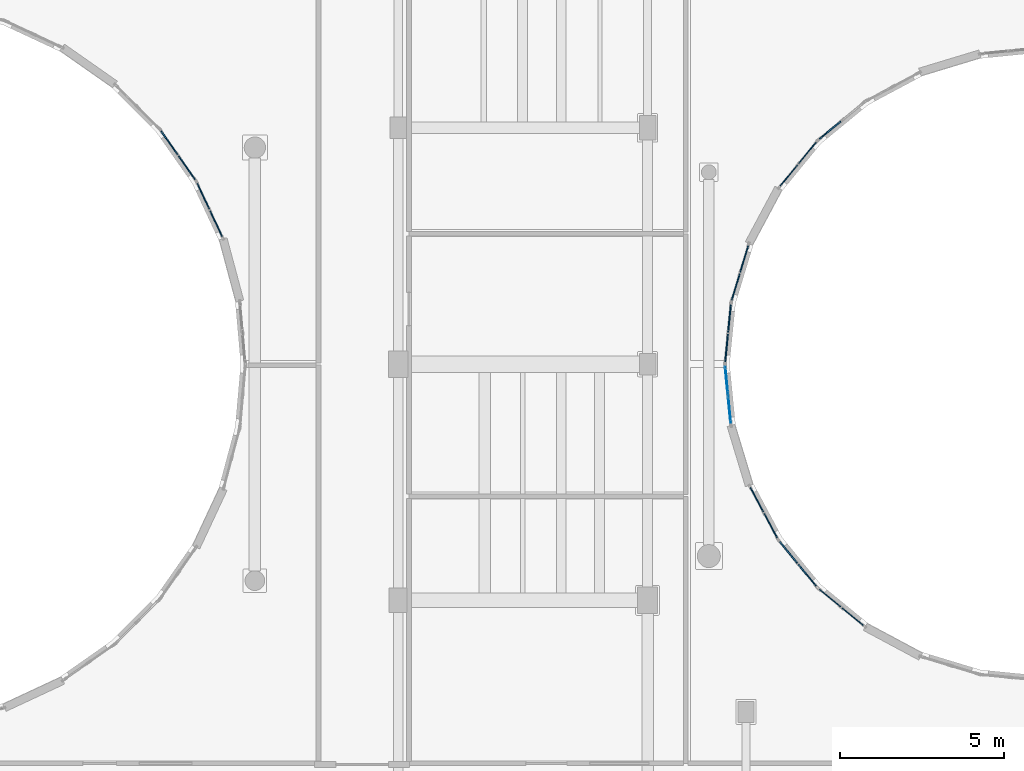
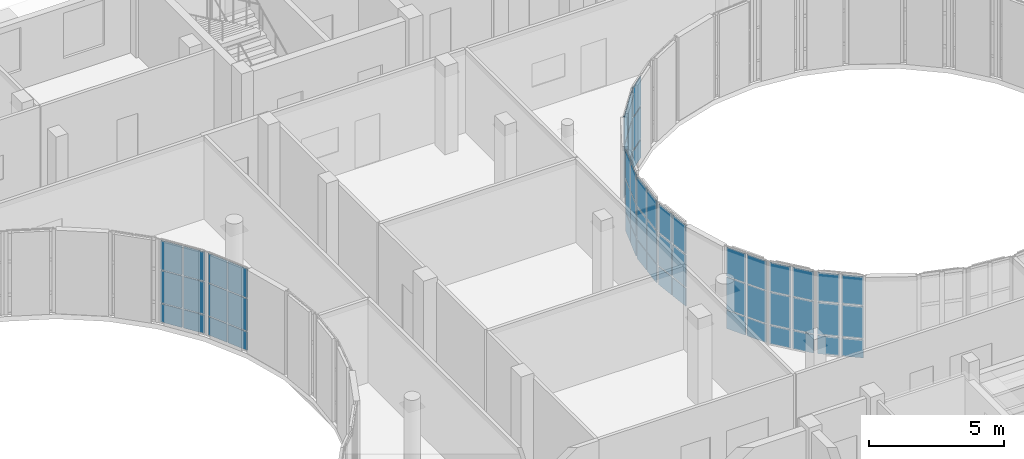
# One storey, part 67 of 105: 57 plates, 10 elements without a shape of their own.
"""IFC4 building model written with IfcOpenShell, lengths in metres."""

from ifc_helpers import new_model, si_unit, direction, frame, origin, origin_2d, place, context, subcontext, project, spatial, rectangle, extrude, material, layer, layer_set, type_object, element, aggregate, save


model = new_model("IFC4")

# Units and contexts
model_context = context("Model", 3, precision=1e-05, world=origin(), true_north=direction((0.0, 1.0)))
body_context = subcontext(model_context, "Body", "Model", "MODEL_VIEW")
ifc_project = project(units=[si_unit("LENGTHUNIT", "METRE"), si_unit("AREAUNIT", "SQUARE_METRE"), si_unit("VOLUMEUNIT", "CUBIC_METRE"), si_unit("PLANEANGLEUNIT", "RADIAN"), si_unit("MASSUNIT", "GRAM", prefix="KILO")], contexts=[model_context])

# Site, building, storey
site_placement = place(None, origin())
site = spatial("IfcSite", under=ifc_project, at=site_placement, CompositionType="ELEMENT")
building_placement = place(site_placement, origin())
building = spatial("IfcBuilding", under=site, at=building_placement, Name="Kelanivale Promenade Academy", CompositionType="ELEMENT")
storey_placement = place(building_placement, frame((0.0, 0.0, 4.199951171875)))
storey = spatial("IfcBuildingStorey", under=building, at=storey_placement, Name="L01", CompositionType="ELEMENT", Elevation=4.199951171875)

# Curtain wall, plates
ifc_material_1 = material(Name="Bronze anodised aluminium and solar-control low-E glass", Category="aluminium")
ifc_layer_1 = layer(ifc_material_1, 0.169921875)
ifc_layer_set_1 = layer_set([ifc_layer_1], Name="Bronze anodised aluminium and solar-control low-E glass")
curtain_wall_type_1 = type_object("IfcCurtainWallType", Name="CW-13 Curtain Wall 1350mm Module", PredefinedType="USERDEFINED", material=ifc_layer_set_1)
curtain_wall_1_placement = place(storey_placement, origin())
curtain_wall_1 = element("IfcCurtainWall", 1, at=curtain_wall_1_placement, inside=storey, type_object=curtain_wall_type_1, Name="L01 courtyard curtain wall CW-13", ObjectType="COURTYARD SCREEN GLAZING", PredefinedType="USERDEFINED")
ifc_material_2 = material(Name="Solar-control double glazing 28 mm", Category="glass")
ifc_layer_2 = layer(ifc_material_2, 0.028076171875)
ifc_layer_set_2 = layer_set([ifc_layer_2], Name="Solar-control double glazing 28 mm")
plate_type_1 = type_object("IfcPlateType", Name="CWP-01 Plate 28mm", PredefinedType="CURTAIN_PANEL", material=ifc_layer_set_2)
plate_1_placement = place(storey_placement, frame((91.671630859375, 63.23828125, 0.05029296875), z_axis=(0.0, 0.0, 1.0), x_axis=(-0.634092539482, -0.773257170269, 0.0)))
plate_1 = element("IfcPlate", 2, at=plate_1_placement, type_object=plate_type_1, Name="CW-13 panel 1.1", PredefinedType="CURTAIN_PANEL", context=body_context, shape_type="SweptSolid", body=[
    extrude(rectangle(XDim=0.833251953125, YDim=0.028076171875, at=origin_2d()), origin(), (0.0, 0.0, 1.0), 0.824951171875),
])
plate_2_placement = place(storey_placement, frame((91.671630859375, 63.23828125, 0.92529296875), z_axis=(0.0, 0.0, 1.0), x_axis=(-0.634092539482, -0.773257170269, 0.0)))
plate_2 = element("IfcPlate", 3, at=plate_2_placement, type_object=plate_type_1, Name="CW-13 panel 1.2", PredefinedType="CURTAIN_PANEL", context=body_context, shape_type="SweptSolid", body=[
    extrude(rectangle(XDim=0.833251953125, YDim=0.028076171875, at=origin_2d()), origin(), (0.0, 0.0, 1.0), 1.449951171875),
])
plate_3_placement = place(storey_placement, frame((91.671630859375, 63.23828125, 2.42529296875), z_axis=(0.0, 0.0, 1.0), x_axis=(-0.634092539482, -0.773257170269, 0.0)))
plate_3 = element("IfcPlate", 4, at=plate_3_placement, type_object=plate_type_1, Name="CW-13 panel 1.3", PredefinedType="CURTAIN_PANEL", context=body_context, shape_type="SweptSolid", body=[
    extrude(rectangle(XDim=0.833251953125, YDim=0.028076171875, at=origin_2d()), origin(), (0.0, 0.0, 1.0), 1.304931640625),
])
plate_4_placement = place(storey_placement, frame((91.105224609375, 62.547607421875, 0.05029296875), z_axis=(0.0, 0.0, 1.0), x_axis=(-0.634092539482, -0.773257170269, 0.0)))
plate_4 = element("IfcPlate", 5, at=plate_4_placement, type_object=plate_type_1, Name="CW-13 panel 2.1", PredefinedType="CURTAIN_PANEL", context=body_context, shape_type="SweptSolid", body=[
    extrude(rectangle(XDim=0.833251953125, YDim=0.028076171875, at=origin_2d()), origin(), (0.0, 0.0, 1.0), 0.824951171875),
])
plate_5_placement = place(storey_placement, frame((91.105224609375, 62.547607421875, 0.92529296875), z_axis=(0.0, 0.0, 1.0), x_axis=(-0.634092539482, -0.773257170269, 0.0)))
plate_5 = element("IfcPlate", 6, at=plate_5_placement, type_object=plate_type_1, Name="CW-13 panel 2.2", PredefinedType="CURTAIN_PANEL", context=body_context, shape_type="SweptSolid", body=[
    extrude(rectangle(XDim=0.833251953125, YDim=0.028076171875, at=origin_2d()), origin(), (0.0, 0.0, 1.0), 1.449951171875),
])
plate_6_placement = place(storey_placement, frame((91.105224609375, 62.547607421875, 2.42529296875), z_axis=(0.0, 0.0, 1.0), x_axis=(-0.634092539482, -0.773257170269, 0.0)))
plate_6 = element("IfcPlate", 7, at=plate_6_placement, type_object=plate_type_1, Name="CW-13 panel 2.3", PredefinedType="CURTAIN_PANEL", context=body_context, shape_type="SweptSolid", body=[
    extrude(rectangle(XDim=0.833251953125, YDim=0.028076171875, at=origin_2d()), origin(), (0.0, 0.0, 1.0), 1.304931640625),
])
aggregate(curtain_wall_1, [plate_1, plate_2, plate_3, plate_4, plate_5, plate_6])

ifc_layer_3 = layer(ifc_material_1, 0.169921875)
ifc_layer_set_3 = layer_set([ifc_layer_3], Name="Bronze anodised aluminium and solar-control low-E glass")
curtain_wall_type_2 = type_object("IfcCurtainWallType", Name="CW-16 Curtain Wall 1800mm Module", PredefinedType="USERDEFINED", material=ifc_layer_set_3)
curtain_wall_2_placement = place(storey_placement, origin())
curtain_wall_2 = element("IfcCurtainWall", 8, at=curtain_wall_2_placement, inside=storey, type_object=curtain_wall_type_2, Name="L01 courtyard curtain wall CW-16", ObjectType="COURTYARD SCREEN GLAZING", PredefinedType="USERDEFINED")
plate_7_placement = place(storey_placement, frame((89.2080078125, 56.310302734375, 0.06005859375), z_axis=(0.0, 0.0, 1.0), x_axis=(0.098538762159, -0.99513321337, 0.0)))
plate_7 = element("IfcPlate", 9, at=plate_7_placement, type_object=plate_type_1, Name="CW-16 panel 1.1", PredefinedType="CURTAIN_PANEL", context=body_context, shape_type="SweptSolid", body=[
    extrude(rectangle(XDim=0.825927734375, YDim=0.028076171875, at=origin_2d()), origin(), (0.0, 0.0, 1.0), 0.81005859375),
])
plate_8_placement = place(storey_placement, frame((89.2080078125, 56.310302734375, 0.93017578125), z_axis=(0.0, 0.0, 1.0), x_axis=(0.098538762159, -0.99513321337, 0.0)))
plate_8 = element("IfcPlate", 10, at=plate_8_placement, type_object=plate_type_1, Name="CW-16 panel 1.2", PredefinedType="CURTAIN_PANEL", context=body_context, shape_type="SweptSolid", body=[
    extrude(rectangle(XDim=0.825927734375, YDim=0.028076171875, at=origin_2d()), origin(), (0.0, 0.0, 1.0), 1.43994140625),
])
plate_9_placement = place(storey_placement, frame((89.2080078125, 56.310302734375, 2.429931640625), z_axis=(0.0, 0.0, 1.0), x_axis=(0.098538762159, -0.99513321337, 0.0)))
plate_9 = element("IfcPlate", 11, at=plate_9_placement, type_object=plate_type_1, Name="CW-16 panel 1.3", PredefinedType="CURTAIN_PANEL", context=body_context, shape_type="SweptSolid", body=[
    extrude(rectangle(XDim=0.825927734375, YDim=0.028076171875, at=origin_2d()), origin(), (0.0, 0.0, 1.0), 1.2900390625),
])
plate_10_placement = place(storey_placement, frame((89.2958984375, 55.423583984375, 0.06005859375), z_axis=(0.0, 0.0, 1.0), x_axis=(0.098538762159, -0.99513321337, 0.0)))
plate_10 = element("IfcPlate", 12, at=plate_10_placement, type_object=plate_type_1, Name="CW-16 panel 2.1", PredefinedType="CURTAIN_PANEL", context=body_context, shape_type="SweptSolid", body=[
    extrude(rectangle(XDim=0.825927734375, YDim=0.028076171875, at=origin_2d()), origin(), (0.0, 0.0, 1.0), 0.81005859375),
])
plate_11_placement = place(storey_placement, frame((89.2958984375, 55.423583984375, 0.93017578125), z_axis=(0.0, 0.0, 1.0), x_axis=(0.098538762159, -0.99513321337, 0.0)))
plate_11 = element("IfcPlate", 13, at=plate_11_placement, type_object=plate_type_1, Name="CW-16 panel 2.2", PredefinedType="CURTAIN_PANEL", context=body_context, shape_type="SweptSolid", body=[
    extrude(rectangle(XDim=0.825927734375, YDim=0.028076171875, at=origin_2d()), origin(), (0.0, 0.0, 1.0), 1.43994140625),
])
plate_12_placement = place(storey_placement, frame((89.2958984375, 55.423583984375, 2.429931640625), z_axis=(0.0, 0.0, 1.0), x_axis=(0.098538762159, -0.99513321337, 0.0)))
plate_12 = element("IfcPlate", 14, at=plate_12_placement, type_object=plate_type_1, Name="CW-16 panel 2.3", PredefinedType="CURTAIN_PANEL", context=body_context, shape_type="SweptSolid", body=[
    extrude(rectangle(XDim=0.825927734375, YDim=0.028076171875, at=origin_2d()), origin(), (0.0, 0.0, 1.0), 1.2900390625),
])
aggregate(curtain_wall_2, [plate_7, plate_8, plate_9, plate_10, plate_11, plate_12])

ifc_layer_4 = layer(ifc_material_1, 0.169921875)
ifc_layer_set_4 = layer_set([ifc_layer_4], Name="Bronze anodised aluminium and solar-control low-E glass")
curtain_wall_type_3 = type_object("IfcCurtainWallType", Name="CW-19 Curtain Wall 1350mm Module", PredefinedType="USERDEFINED", material=ifc_layer_set_4)
curtain_wall_3_placement = place(storey_placement, origin())
curtain_wall_3 = element("IfcCurtainWall", 15, at=curtain_wall_3_placement, inside=storey, type_object=curtain_wall_type_3, Name="L01 courtyard curtain wall CW-19", ObjectType="COURTYARD SCREEN GLAZING", PredefinedType="USERDEFINED")
plate_13_placement = place(storey_placement, frame((92.362548828125, 49.6708984375, 0.05029296875), z_axis=(0.0, 0.0, 1.0), x_axis=(0.773257170269, -0.634092539482, 0.0)))
plate_13 = element("IfcPlate", 16, at=plate_13_placement, type_object=plate_type_1, Name="CW-19 panel 1.1", PredefinedType="CURTAIN_PANEL", context=body_context, shape_type="SweptSolid", body=[
    extrude(rectangle(XDim=0.825927734375, YDim=0.028076171875, at=origin_2d()), origin(), (0.0, 0.0, 1.0), 0.824951171875),
])
plate_14_placement = place(storey_placement, frame((92.362548828125, 49.6708984375, 0.92529296875), z_axis=(0.0, 0.0, 1.0), x_axis=(0.773257170269, -0.634092539482, 0.0)))
plate_14 = element("IfcPlate", 17, at=plate_14_placement, type_object=plate_type_1, Name="CW-19 panel 1.2", PredefinedType="CURTAIN_PANEL", context=body_context, shape_type="SweptSolid", body=[
    extrude(rectangle(XDim=0.825927734375, YDim=0.028076171875, at=origin_2d()), origin(), (0.0, 0.0, 1.0), 1.449951171875),
])
plate_15_placement = place(storey_placement, frame((92.362548828125, 49.6708984375, 2.42529296875), z_axis=(0.0, 0.0, 1.0), x_axis=(0.773257170269, -0.634092539482, 0.0)))
plate_15 = element("IfcPlate", 18, at=plate_15_placement, type_object=plate_type_1, Name="CW-19 panel 1.3", PredefinedType="CURTAIN_PANEL", context=body_context, shape_type="SweptSolid", body=[
    extrude(rectangle(XDim=0.825927734375, YDim=0.028076171875, at=origin_2d()), origin(), (0.0, 0.0, 1.0), 1.304931640625),
])
plate_16_placement = place(storey_placement, frame((93.051513671875, 49.10595703125, 0.05029296875), z_axis=(0.0, 0.0, 1.0), x_axis=(0.773257170269, -0.634092539482, 0.0)))
plate_16 = element("IfcPlate", 19, at=plate_16_placement, type_object=plate_type_1, Name="CW-19 panel 2.1", PredefinedType="CURTAIN_PANEL", context=body_context, shape_type="SweptSolid", body=[
    extrude(rectangle(XDim=0.825927734375, YDim=0.028076171875, at=origin_2d()), origin(), (0.0, 0.0, 1.0), 0.824951171875),
])
plate_17_placement = place(storey_placement, frame((93.051513671875, 49.10595703125, 0.92529296875), z_axis=(0.0, 0.0, 1.0), x_axis=(0.773257170269, -0.634092539482, 0.0)))
plate_17 = element("IfcPlate", 20, at=plate_17_placement, type_object=plate_type_1, Name="CW-19 panel 2.2", PredefinedType="CURTAIN_PANEL", context=body_context, shape_type="SweptSolid", body=[
    extrude(rectangle(XDim=0.825927734375, YDim=0.028076171875, at=origin_2d()), origin(), (0.0, 0.0, 1.0), 1.449951171875),
])
plate_18_placement = place(storey_placement, frame((93.051513671875, 49.10595703125, 2.42529296875), z_axis=(0.0, 0.0, 1.0), x_axis=(0.773257170269, -0.634092539482, 0.0)))
plate_18 = element("IfcPlate", 21, at=plate_18_placement, type_object=plate_type_1, Name="CW-19 panel 2.3", PredefinedType="CURTAIN_PANEL", context=body_context, shape_type="SweptSolid", body=[
    extrude(rectangle(XDim=0.825927734375, YDim=0.028076171875, at=origin_2d()), origin(), (0.0, 0.0, 1.0), 1.304931640625),
])
aggregate(curtain_wall_3, [plate_13, plate_14, plate_15, plate_16, plate_17, plate_18])

ifc_layer_5 = layer(ifc_material_1, 0.179931640625)
ifc_layer_set_5 = layer_set([ifc_layer_5], Name="Bronze anodised aluminium and solar-control low-E glass")
curtain_wall_type_4 = type_object("IfcCurtainWallType", Name="CW-14 Curtain Wall 1500mm Module", PredefinedType="USERDEFINED", material=ifc_layer_set_5)
curtain_wall_4_placement = place(storey_placement, origin())
curtain_wall_4 = element("IfcCurtainWall", 22, at=curtain_wall_4_placement, inside=storey, type_object=curtain_wall_type_4, Name="L01 courtyard curtain wall CW-14", ObjectType="COURTYARD SCREEN GLAZING", PredefinedType="USERDEFINED")
ifc_material_3 = material(Name="Acoustic laminated double glazing 36 mm", Category="glass")
ifc_layer_6 = layer(ifc_material_3, 0.035888671875)
ifc_layer_set_6 = layer_set([ifc_layer_6], Name="Acoustic laminated double glazing 36 mm")
plate_type_2 = type_object("IfcPlateType", Name="CWP-02 Plate 36mm", PredefinedType="CURTAIN_PANEL", material=ifc_layer_set_6)
plate_19_placement = place(storey_placement, frame((89.74658203125, 60.005615234375, 0.05029296875), z_axis=(0.0, 0.0, 1.0), x_axis=(-0.290127576893, -0.956987977524, 0.0)))
plate_19 = element("IfcPlate", 23, at=plate_19_placement, type_object=plate_type_2, Name="CW-14 panel 1.1", PredefinedType="CURTAIN_PANEL", context=body_context, shape_type="SweptSolid", body=[
    extrude(rectangle(XDim=0.833740234375, YDim=0.035888671875, at=origin_2d()), origin(), (0.0, 0.0, 1.0), 0.824951171875),
])
plate_20_placement = place(storey_placement, frame((89.74658203125, 60.005615234375, 0.92529296875), z_axis=(0.0, 0.0, 1.0), x_axis=(-0.290127576893, -0.956987977524, 0.0)))
plate_20 = element("IfcPlate", 24, at=plate_20_placement, type_object=plate_type_2, Name="CW-14 panel 1.2", PredefinedType="CURTAIN_PANEL", context=body_context, shape_type="SweptSolid", body=[
    extrude(rectangle(XDim=0.833740234375, YDim=0.035888671875, at=origin_2d()), origin(), (0.0, 0.0, 1.0), 1.449951171875),
])
plate_21_placement = place(storey_placement, frame((89.74658203125, 60.005615234375, 2.42529296875), z_axis=(0.0, 0.0, 1.0), x_axis=(-0.290127576893, -0.956987977524, 0.0)))
plate_21 = element("IfcPlate", 25, at=plate_21_placement, type_object=plate_type_2, Name="CW-14 panel 1.3", PredefinedType="CURTAIN_PANEL", context=body_context, shape_type="SweptSolid", body=[
    extrude(rectangle(XDim=0.833740234375, YDim=0.035888671875, at=origin_2d()), origin(), (0.0, 0.0, 1.0), 1.304931640625),
])
plate_22_placement = place(storey_placement, frame((89.4873046875, 59.150390625, 0.05029296875), z_axis=(0.0, 0.0, 1.0), x_axis=(-0.290127576893, -0.956987977524, 0.0)))
plate_22 = element("IfcPlate", 26, at=plate_22_placement, type_object=plate_type_2, Name="CW-14 panel 2.1", PredefinedType="CURTAIN_PANEL", context=body_context, shape_type="SweptSolid", body=[
    extrude(rectangle(XDim=0.833740234375, YDim=0.035888671875, at=origin_2d()), origin(), (0.0, 0.0, 1.0), 0.824951171875),
])
plate_23_placement = place(storey_placement, frame((89.4873046875, 59.150390625, 0.92529296875), z_axis=(0.0, 0.0, 1.0), x_axis=(-0.290127576893, -0.956987977524, 0.0)))
plate_23 = element("IfcPlate", 27, at=plate_23_placement, type_object=plate_type_2, Name="CW-14 panel 2.2", PredefinedType="CURTAIN_PANEL", context=body_context, shape_type="SweptSolid", body=[
    extrude(rectangle(XDim=0.833740234375, YDim=0.035888671875, at=origin_2d()), origin(), (0.0, 0.0, 1.0), 1.449951171875),
])
plate_24_placement = place(storey_placement, frame((89.4873046875, 59.150390625, 2.42529296875), z_axis=(0.0, 0.0, 1.0), x_axis=(-0.290127576893, -0.956987977524, 0.0)))
plate_24 = element("IfcPlate", 28, at=plate_24_placement, type_object=plate_type_2, Name="CW-14 panel 2.3", PredefinedType="CURTAIN_PANEL", context=body_context, shape_type="SweptSolid", body=[
    extrude(rectangle(XDim=0.833740234375, YDim=0.035888671875, at=origin_2d()), origin(), (0.0, 0.0, 1.0), 1.304931640625),
])
aggregate(curtain_wall_4, [plate_19, plate_20, plate_21, plate_22, plate_23, plate_24])

ifc_layer_7 = layer(ifc_material_1, 0.179931640625)
ifc_layer_set_7 = layer_set([ifc_layer_7], Name="Bronze anodised aluminium and solar-control low-E glass")
curtain_wall_type_5 = type_object("IfcCurtainWallType", Name="CW-17 Curtain Wall 1950mm Module", PredefinedType="USERDEFINED", material=ifc_layer_set_7)
curtain_wall_5_placement = place(storey_placement, origin())
curtain_wall_5 = element("IfcCurtainWall", 29, at=curtain_wall_5_placement, inside=storey, type_object=curtain_wall_type_5, Name="L01 courtyard curtain wall CW-17", ObjectType="COURTYARD SCREEN GLAZING", PredefinedType="USERDEFINED")
plate_25_placement = place(storey_placement, frame((90.1318359375, 52.665283203125, 0.05029296875), z_axis=(0.0, 0.0, 1.0), x_axis=(0.471290193914, -0.881978204448, 0.0)))
plate_25 = element("IfcPlate", 30, at=plate_25_placement, type_object=plate_type_2, Name="CW-17 panel 1.1", PredefinedType="CURTAIN_PANEL", context=body_context, shape_type="SweptSolid", body=[
    extrude(rectangle(XDim=0.833984375, YDim=0.035888671875, at=origin_2d()), origin(), (0.0, 0.0, 1.0), 0.824951171875),
])
plate_26_placement = place(storey_placement, frame((90.1318359375, 52.665283203125, 0.92529296875), z_axis=(0.0, 0.0, 1.0), x_axis=(0.471290193914, -0.881978204448, 0.0)))
plate_26 = element("IfcPlate", 31, at=plate_26_placement, type_object=plate_type_2, Name="CW-17 panel 1.2", PredefinedType="CURTAIN_PANEL", context=body_context, shape_type="SweptSolid", body=[
    extrude(rectangle(XDim=0.833984375, YDim=0.035888671875, at=origin_2d()), origin(), (0.0, 0.0, 1.0), 1.449951171875),
])
plate_27_placement = place(storey_placement, frame((90.1318359375, 52.665283203125, 2.42529296875), z_axis=(0.0, 0.0, 1.0), x_axis=(0.471290193914, -0.881978204448, 0.0)))
plate_27 = element("IfcPlate", 32, at=plate_27_placement, type_object=plate_type_2, Name="CW-17 panel 1.3", PredefinedType="CURTAIN_PANEL", context=body_context, shape_type="SweptSolid", body=[
    extrude(rectangle(XDim=0.833984375, YDim=0.035888671875, at=origin_2d()), origin(), (0.0, 0.0, 1.0), 1.304931640625),
])
plate_28_placement = place(storey_placement, frame((90.55322265625, 51.876708984375, 0.05029296875), z_axis=(0.0, 0.0, 1.0), x_axis=(0.471290193914, -0.881978204448, 0.0)))
plate_28 = element("IfcPlate", 33, at=plate_28_placement, type_object=plate_type_2, Name="CW-17 panel 2.1", PredefinedType="CURTAIN_PANEL", context=body_context, shape_type="SweptSolid", body=[
    extrude(rectangle(XDim=0.833984375, YDim=0.035888671875, at=origin_2d()), origin(), (0.0, 0.0, 1.0), 0.824951171875),
])
plate_29_placement = place(storey_placement, frame((90.55322265625, 51.876708984375, 0.92529296875), z_axis=(0.0, 0.0, 1.0), x_axis=(0.471290193914, -0.881978204448, 0.0)))
plate_29 = element("IfcPlate", 34, at=plate_29_placement, type_object=plate_type_2, Name="CW-17 panel 2.2", PredefinedType="CURTAIN_PANEL", context=body_context, shape_type="SweptSolid", body=[
    extrude(rectangle(XDim=0.833984375, YDim=0.035888671875, at=origin_2d()), origin(), (0.0, 0.0, 1.0), 1.449951171875),
])
plate_30_placement = place(storey_placement, frame((90.55322265625, 51.876708984375, 2.42529296875), z_axis=(0.0, 0.0, 1.0), x_axis=(0.471290193914, -0.881978204448, 0.0)))
plate_30 = element("IfcPlate", 35, at=plate_30_placement, type_object=plate_type_2, Name="CW-17 panel 2.3", PredefinedType="CURTAIN_PANEL", context=body_context, shape_type="SweptSolid", body=[
    extrude(rectangle(XDim=0.833984375, YDim=0.035888671875, at=origin_2d()), origin(), (0.0, 0.0, 1.0), 1.304931640625),
])
aggregate(curtain_wall_5, [plate_25, plate_26, plate_27, plate_28, plate_29, plate_30])

ifc_layer_8 = layer(ifc_material_1, 0.179931640625)
ifc_layer_set_8 = layer_set([ifc_layer_8], Name="Bronze anodised aluminium and solar-control low-E glass")
curtain_wall_type_6 = type_object("IfcCurtainWallType", Name="CW-05 Curtain Wall 1950mm Module", PredefinedType="USERDEFINED", material=ifc_layer_set_8)
curtain_wall_6_placement = place(storey_placement, origin())
curtain_wall_6 = element("IfcCurtainWall", 36, at=curtain_wall_6_placement, inside=storey, type_object=curtain_wall_type_6, Name="L01 courtyard curtain wall CW-05", ObjectType="UNITISED GLAZING", PredefinedType="USERDEFINED")
plate_31_placement = place(storey_placement, frame((73.650390625, 61.07958984375, 0.05029296875), z_axis=(0.0, 0.0, 1.0), x_axis=(-0.423086860887, 0.906089128146, 0.0)))
plate_31 = element("IfcPlate", 37, at=plate_31_placement, type_object=plate_type_2, Name="CW-05 panel 1.1", PredefinedType="CURTAIN_PANEL", context=body_context, shape_type="SweptSolid", body=[
    extrude(rectangle(XDim=0.861328125, YDim=0.035888671875, at=origin_2d()), origin(), (0.0, 0.0, 1.0), 0.824951171875),
])
plate_32_placement = place(storey_placement, frame((73.650390625, 61.07958984375, 0.92529296875), z_axis=(0.0, 0.0, 1.0), x_axis=(-0.423086860887, 0.906089128146, 0.0)))
plate_32 = element("IfcPlate", 38, at=plate_32_placement, type_object=plate_type_2, Name="CW-05 panel 1.2", PredefinedType="CURTAIN_PANEL", context=body_context, shape_type="SweptSolid", body=[
    extrude(rectangle(XDim=0.861328125, YDim=0.035888671875, at=origin_2d()), origin(), (0.0, 0.0, 1.0), 1.449951171875),
])
plate_33_placement = place(storey_placement, frame((73.650390625, 61.07958984375, 2.42529296875), z_axis=(0.0, 0.0, 1.0), x_axis=(-0.423086860887, 0.906089128146, 0.0)))
plate_33 = element("IfcPlate", 39, at=plate_33_placement, type_object=plate_type_2, Name="CW-05 panel 1.3", PredefinedType="CURTAIN_PANEL", context=body_context, shape_type="SweptSolid", body=[
    extrude(rectangle(XDim=0.861328125, YDim=0.035888671875, at=origin_2d()), origin(), (0.0, 0.0, 1.0), 1.304931640625),
])
plate_34_placement = place(storey_placement, frame((73.260498046875, 61.914306640625, 0.05029296875), z_axis=(0.0, 0.0, 1.0), x_axis=(-0.423086860887, 0.906089128146, 0.0)))
plate_34 = element("IfcPlate", 40, at=plate_34_placement, type_object=plate_type_2, Name="CW-05 panel 2.1", PredefinedType="CURTAIN_PANEL", context=body_context, shape_type="SweptSolid", body=[
    extrude(rectangle(XDim=0.861328125, YDim=0.035888671875, at=origin_2d()), origin(), (0.0, 0.0, 1.0), 0.824951171875),
])
plate_35_placement = place(storey_placement, frame((73.260498046875, 61.914306640625, 0.92529296875), z_axis=(0.0, 0.0, 1.0), x_axis=(-0.423086860887, 0.906089128146, 0.0)))
plate_35 = element("IfcPlate", 41, at=plate_35_placement, type_object=plate_type_2, Name="CW-05 panel 2.2", PredefinedType="CURTAIN_PANEL", context=body_context, shape_type="SweptSolid", body=[
    extrude(rectangle(XDim=0.861328125, YDim=0.035888671875, at=origin_2d()), origin(), (0.0, 0.0, 1.0), 1.449951171875),
])
plate_36_placement = place(storey_placement, frame((73.260498046875, 61.914306640625, 2.42529296875), z_axis=(0.0, 0.0, 1.0), x_axis=(-0.423086860887, 0.906089128146, 0.0)))
plate_36 = element("IfcPlate", 42, at=plate_36_placement, type_object=plate_type_2, Name="CW-05 panel 2.3", PredefinedType="CURTAIN_PANEL", context=body_context, shape_type="SweptSolid", body=[
    extrude(rectangle(XDim=0.861328125, YDim=0.035888671875, at=origin_2d()), origin(), (0.0, 0.0, 1.0), 1.304931640625),
])
aggregate(curtain_wall_6, [plate_31, plate_32, plate_33, plate_34, plate_35, plate_36])

ifc_layer_9 = layer(ifc_material_1, 0.159912109375)
ifc_layer_set_9 = layer_set([ifc_layer_9], Name="Bronze anodised aluminium and solar-control low-E glass")
curtain_wall_type_7 = type_object("IfcCurtainWallType", Name="CW-12 Curtain Wall 1200mm Module", PredefinedType="USERDEFINED", material=ifc_layer_set_9)
curtain_wall_7_placement = place(storey_placement, origin())
curtain_wall_7 = element("IfcCurtainWall", 43, at=curtain_wall_7_placement, inside=storey, type_object=curtain_wall_type_7, Name="L01 courtyard curtain wall CW-12", ObjectType="UNITISED GLAZING", PredefinedType="USERDEFINED")
ifc_material_4 = material(Name="Insulated bronze aluminium spandrel panel 44 mm", Category="aluminium")
ifc_layer_10 = layer(ifc_material_4, 0.0439453125)
ifc_layer_set_10 = layer_set([ifc_layer_10], Name="Insulated bronze aluminium spandrel panel 44 mm")
plate_type_3 = type_object("IfcPlateType", Name="CWP-03 Plate 44mm", PredefinedType="CURTAIN_PANEL", material=ifc_layer_set_10)
plate_37_placement = place(storey_placement, frame((92.365478515625, 63.931640625, 0.06005859375), z_axis=(0.0, 0.0, 1.0), x_axis=(-0.773215132597, -0.634143799719, 0.0)))
plate_37 = element("IfcPlate", 44, at=plate_37_placement, type_object=plate_type_3, Name="CW-12 panel 2.1", PredefinedType="CURTAIN_PANEL", context=body_context, shape_type="SweptSolid", body=[
    extrude(rectangle(XDim=0.833740234375, YDim=0.0439453125, at=origin_2d()), origin(), (0.0, 0.0, 1.0), 0.81005859375),
])
plate_38_placement = place(storey_placement, frame((92.365478515625, 63.931640625, 0.93017578125), z_axis=(0.0, 0.0, 1.0), x_axis=(-0.773215132597, -0.634143799719, 0.0)))
plate_38 = element("IfcPlate", 45, at=plate_38_placement, type_object=plate_type_3, Name="CW-12 panel 2.2", PredefinedType="CURTAIN_PANEL", context=body_context, shape_type="SweptSolid", body=[
    extrude(rectangle(XDim=0.833740234375, YDim=0.0439453125, at=origin_2d()), origin(), (0.0, 0.0, 1.0), 1.43994140625),
])
plate_39_placement = place(storey_placement, frame((92.365478515625, 63.931640625, 2.429931640625), z_axis=(0.0, 0.0, 1.0), x_axis=(-0.773215132597, -0.634143799719, 0.0)))
plate_39 = element("IfcPlate", 46, at=plate_39_placement, type_object=plate_type_3, Name="CW-12 panel 2.3", PredefinedType="CURTAIN_PANEL", context=body_context, shape_type="SweptSolid", body=[
    extrude(rectangle(XDim=0.833740234375, YDim=0.0439453125, at=origin_2d()), origin(), (0.0, 0.0, 1.0), 1.2900390625),
])
aggregate(curtain_wall_7, [plate_37, plate_38, plate_39])

ifc_layer_11 = layer(ifc_material_1, 0.159912109375)
ifc_layer_set_11 = layer_set([ifc_layer_11], Name="Bronze anodised aluminium and solar-control low-E glass")
curtain_wall_type_8 = type_object("IfcCurtainWallType", Name="CW-15 Curtain Wall 1650mm Module", PredefinedType="USERDEFINED", material=ifc_layer_set_11)
curtain_wall_8_placement = place(storey_placement, origin())
curtain_wall_8 = element("IfcCurtainWall", 47, at=curtain_wall_8_placement, inside=storey, type_object=curtain_wall_type_8, Name="L01 courtyard curtain wall CW-15", ObjectType="COURTYARD SCREEN GLAZING", PredefinedType="USERDEFINED")
plate_40_placement = place(storey_placement, frame((89.296630859375, 58.1875, 0.05029296875), z_axis=(0.0, 0.0, 1.0), x_axis=(-0.098280652454, -0.995158737767, 0.0)))
plate_40 = element("IfcPlate", 48, at=plate_40_placement, type_object=plate_type_3, Name="CW-15 panel 1.1", PredefinedType="CURTAIN_PANEL", context=body_context, shape_type="SweptSolid", body=[
    extrude(rectangle(XDim=0.83349609375, YDim=0.0439453125, at=origin_2d()), origin(), (0.0, 0.0, 1.0), 0.824951171875),
])
plate_41_placement = place(storey_placement, frame((89.296630859375, 58.1875, 0.92529296875), z_axis=(0.0, 0.0, 1.0), x_axis=(-0.098280652454, -0.995158737767, 0.0)))
plate_41 = element("IfcPlate", 49, at=plate_41_placement, type_object=plate_type_3, Name="CW-15 panel 1.2", PredefinedType="CURTAIN_PANEL", context=body_context, shape_type="SweptSolid", body=[
    extrude(rectangle(XDim=0.83349609375, YDim=0.0439453125, at=origin_2d()), origin(), (0.0, 0.0, 1.0), 1.449951171875),
])
plate_42_placement = place(storey_placement, frame((89.296630859375, 58.1875, 2.42529296875), z_axis=(0.0, 0.0, 1.0), x_axis=(-0.098280652454, -0.995158737767, 0.0)))
plate_42 = element("IfcPlate", 50, at=plate_42_placement, type_object=plate_type_3, Name="CW-15 panel 1.3", PredefinedType="CURTAIN_PANEL", context=body_context, shape_type="SweptSolid", body=[
    extrude(rectangle(XDim=0.83349609375, YDim=0.0439453125, at=origin_2d()), origin(), (0.0, 0.0, 1.0), 1.304931640625),
])
plate_43_placement = place(storey_placement, frame((89.208251953125, 57.29345703125, 0.05029296875), z_axis=(0.0, 0.0, 1.0), x_axis=(-0.098280652454, -0.995158737767, 0.0)))
plate_43 = element("IfcPlate", 51, at=plate_43_placement, type_object=plate_type_3, Name="CW-15 panel 2.1", PredefinedType="CURTAIN_PANEL", context=body_context, shape_type="SweptSolid", body=[
    extrude(rectangle(XDim=0.83349609375, YDim=0.0439453125, at=origin_2d()), origin(), (0.0, 0.0, 1.0), 0.824951171875),
])
plate_44_placement = place(storey_placement, frame((89.208251953125, 57.29345703125, 0.92529296875), z_axis=(0.0, 0.0, 1.0), x_axis=(-0.098280652454, -0.995158737767, 0.0)))
plate_44 = element("IfcPlate", 52, at=plate_44_placement, type_object=plate_type_3, Name="CW-15 panel 2.2", PredefinedType="CURTAIN_PANEL", context=body_context, shape_type="SweptSolid", body=[
    extrude(rectangle(XDim=0.83349609375, YDim=0.0439453125, at=origin_2d()), origin(), (0.0, 0.0, 1.0), 1.449951171875),
])
plate_45_placement = place(storey_placement, frame((89.208251953125, 57.29345703125, 2.42529296875), z_axis=(0.0, 0.0, 1.0), x_axis=(-0.098280652454, -0.995158737767, 0.0)))
plate_45 = element("IfcPlate", 53, at=plate_45_placement, type_object=plate_type_3, Name="CW-15 panel 2.3", PredefinedType="CURTAIN_PANEL", context=body_context, shape_type="SweptSolid", body=[
    extrude(rectangle(XDim=0.83349609375, YDim=0.0439453125, at=origin_2d()), origin(), (0.0, 0.0, 1.0), 1.304931640625),
])
aggregate(curtain_wall_8, [plate_40, plate_41, plate_42, plate_43, plate_44, plate_45])

ifc_layer_12 = layer(ifc_material_1, 0.159912109375)
ifc_layer_set_12 = layer_set([ifc_layer_12], Name="Bronze anodised aluminium and solar-control low-E glass")
curtain_wall_type_9 = type_object("IfcCurtainWallType", Name="CW-18 Curtain Wall 1200mm Module", PredefinedType="USERDEFINED", material=ifc_layer_set_12)
curtain_wall_9_placement = place(storey_placement, origin())
curtain_wall_9 = element("IfcCurtainWall", 54, at=curtain_wall_9_placement, inside=storey, type_object=curtain_wall_type_9, Name="L01 courtyard curtain wall CW-18", ObjectType="COURTYARD SCREEN GLAZING", PredefinedType="USERDEFINED")
plate_46_placement = place(storey_placement, frame((91.09765625, 51.0615234375, 0.05029296875), z_axis=(0.0, 0.0, 1.0), x_axis=(0.634143799719, -0.773215132597, 0.0)))
plate_46 = element("IfcPlate", 55, at=plate_46_placement, type_object=plate_type_3, Name="CW-18 panel 1.1", PredefinedType="CURTAIN_PANEL", context=body_context, shape_type="SweptSolid", body=[
    extrude(rectangle(XDim=0.841064453125, YDim=0.0439453125, at=origin_2d()), origin(), (0.0, 0.0, 1.0), 0.824951171875),
])
plate_47_placement = place(storey_placement, frame((91.09765625, 51.0615234375, 0.92529296875), z_axis=(0.0, 0.0, 1.0), x_axis=(0.634143799719, -0.773215132597, 0.0)))
plate_47 = element("IfcPlate", 56, at=plate_47_placement, type_object=plate_type_3, Name="CW-18 panel 1.2", PredefinedType="CURTAIN_PANEL", context=body_context, shape_type="SweptSolid", body=[
    extrude(rectangle(XDim=0.841064453125, YDim=0.0439453125, at=origin_2d()), origin(), (0.0, 0.0, 1.0), 1.449951171875),
])
plate_48_placement = place(storey_placement, frame((91.09765625, 51.0615234375, 2.42529296875), z_axis=(0.0, 0.0, 1.0), x_axis=(0.634143799719, -0.773215132597, 0.0)))
plate_48 = element("IfcPlate", 57, at=plate_48_placement, type_object=plate_type_3, Name="CW-18 panel 1.3", PredefinedType="CURTAIN_PANEL", context=body_context, shape_type="SweptSolid", body=[
    extrude(rectangle(XDim=0.841064453125, YDim=0.0439453125, at=origin_2d()), origin(), (0.0, 0.0, 1.0), 1.304931640625),
])
plate_49_placement = place(storey_placement, frame((91.669189453125, 50.364501953125, 0.05029296875), z_axis=(0.0, 0.0, 1.0), x_axis=(0.634143799719, -0.773215132597, 0.0)))
plate_49 = element("IfcPlate", 58, at=plate_49_placement, type_object=plate_type_3, Name="CW-18 panel 2.1", PredefinedType="CURTAIN_PANEL", context=body_context, shape_type="SweptSolid", body=[
    extrude(rectangle(XDim=0.841064453125, YDim=0.0439453125, at=origin_2d()), origin(), (0.0, 0.0, 1.0), 0.824951171875),
])
plate_50_placement = place(storey_placement, frame((91.669189453125, 50.364501953125, 0.92529296875), z_axis=(0.0, 0.0, 1.0), x_axis=(0.634143799719, -0.773215132597, 0.0)))
plate_50 = element("IfcPlate", 59, at=plate_50_placement, type_object=plate_type_3, Name="CW-18 panel 2.2", PredefinedType="CURTAIN_PANEL", context=body_context, shape_type="SweptSolid", body=[
    extrude(rectangle(XDim=0.841064453125, YDim=0.0439453125, at=origin_2d()), origin(), (0.0, 0.0, 1.0), 1.449951171875),
])
plate_51_placement = place(storey_placement, frame((91.669189453125, 50.364501953125, 2.42529296875), z_axis=(0.0, 0.0, 1.0), x_axis=(0.634143799719, -0.773215132597, 0.0)))
plate_51 = element("IfcPlate", 60, at=plate_51_placement, type_object=plate_type_3, Name="CW-18 panel 2.3", PredefinedType="CURTAIN_PANEL", context=body_context, shape_type="SweptSolid", body=[
    extrude(rectangle(XDim=0.841064453125, YDim=0.0439453125, at=origin_2d()), origin(), (0.0, 0.0, 1.0), 1.304931640625),
])
aggregate(curtain_wall_9, [plate_46, plate_47, plate_48, plate_49, plate_50, plate_51])

ifc_layer_13 = layer(ifc_material_1, 0.159912109375)
ifc_layer_set_13 = layer_set([ifc_layer_13], Name="Bronze anodised aluminium and solar-control low-E glass")
curtain_wall_type_10 = type_object("IfcCurtainWallType", Name="CW-06 Curtain Wall 1200mm Module", PredefinedType="USERDEFINED", material=ifc_layer_set_13)
curtain_wall_10_placement = place(storey_placement, origin())
curtain_wall_10 = element("IfcCurtainWall", 61, at=curtain_wall_10_placement, inside=storey, type_object=curtain_wall_type_10, Name="L01 courtyard curtain wall CW-06", ObjectType="UNITISED GLAZING", PredefinedType="USERDEFINED")
plate_52_placement = place(storey_placement, frame((72.75732421875, 62.78515625, 0.05029296875), z_axis=(0.0, 0.0, 1.0), x_axis=(-0.573567324515, 0.81915842439, 0.0)))
plate_52 = element("IfcPlate", 62, at=plate_52_placement, type_object=plate_type_3, Name="CW-06 panel 1.1", PredefinedType="CURTAIN_PANEL", context=body_context, shape_type="SweptSolid", body=[
    extrude(rectangle(XDim=0.868896484375, YDim=0.0439453125, at=origin_2d()), origin(), (0.0, 0.0, 1.0), 0.824951171875),
])
plate_53_placement = place(storey_placement, frame((72.75732421875, 62.78515625, 0.92529296875), z_axis=(0.0, 0.0, 1.0), x_axis=(-0.573567324515, 0.81915842439, 0.0)))
plate_53 = element("IfcPlate", 63, at=plate_53_placement, type_object=plate_type_3, Name="CW-06 panel 1.2", PredefinedType="CURTAIN_PANEL", context=body_context, shape_type="SweptSolid", body=[
    extrude(rectangle(XDim=0.868896484375, YDim=0.0439453125, at=origin_2d()), origin(), (0.0, 0.0, 1.0), 1.449951171875),
])
plate_54_placement = place(storey_placement, frame((72.75732421875, 62.78515625, 2.42529296875), z_axis=(0.0, 0.0, 1.0), x_axis=(-0.573567324515, 0.81915842439, 0.0)))
plate_54 = element("IfcPlate", 64, at=plate_54_placement, type_object=plate_type_3, Name="CW-06 panel 1.3", PredefinedType="CURTAIN_PANEL", context=body_context, shape_type="SweptSolid", body=[
    extrude(rectangle(XDim=0.868896484375, YDim=0.0439453125, at=origin_2d()), origin(), (0.0, 0.0, 1.0), 1.304931640625),
])
plate_55_placement = place(storey_placement, frame((72.224609375, 63.5458984375, 0.05029296875), z_axis=(0.0, 0.0, 1.0), x_axis=(-0.573567324515, 0.81915842439, 0.0)))
plate_55 = element("IfcPlate", 65, at=plate_55_placement, type_object=plate_type_3, Name="CW-06 panel 2.1", PredefinedType="CURTAIN_PANEL", context=body_context, shape_type="SweptSolid", body=[
    extrude(rectangle(XDim=0.868896484375, YDim=0.0439453125, at=origin_2d()), origin(), (0.0, 0.0, 1.0), 0.824951171875),
])
plate_56_placement = place(storey_placement, frame((72.224609375, 63.5458984375, 0.92529296875), z_axis=(0.0, 0.0, 1.0), x_axis=(-0.573567324515, 0.81915842439, 0.0)))
plate_56 = element("IfcPlate", 66, at=plate_56_placement, type_object=plate_type_3, Name="CW-06 panel 2.2", PredefinedType="CURTAIN_PANEL", context=body_context, shape_type="SweptSolid", body=[
    extrude(rectangle(XDim=0.868896484375, YDim=0.0439453125, at=origin_2d()), origin(), (0.0, 0.0, 1.0), 1.449951171875),
])
plate_57_placement = place(storey_placement, frame((72.224609375, 63.5458984375, 2.42529296875), z_axis=(0.0, 0.0, 1.0), x_axis=(-0.573567324515, 0.81915842439, 0.0)))
plate_57 = element("IfcPlate", 67, at=plate_57_placement, type_object=plate_type_3, Name="CW-06 panel 2.3", PredefinedType="CURTAIN_PANEL", context=body_context, shape_type="SweptSolid", body=[
    extrude(rectangle(XDim=0.868896484375, YDim=0.0439453125, at=origin_2d()), origin(), (0.0, 0.0, 1.0), 1.304931640625),
])
aggregate(curtain_wall_10, [plate_52, plate_53, plate_54, plate_55, plate_56, plate_57])

save(model, "model.ifc")
